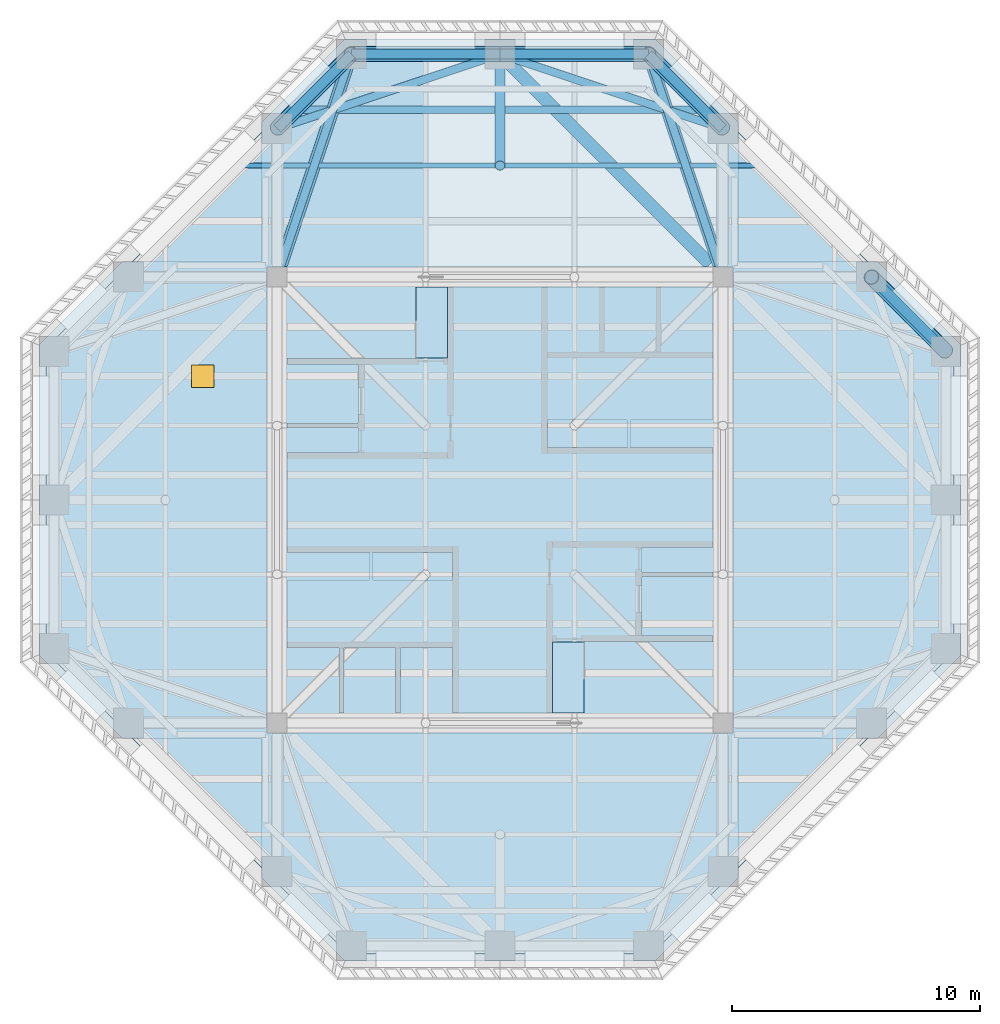
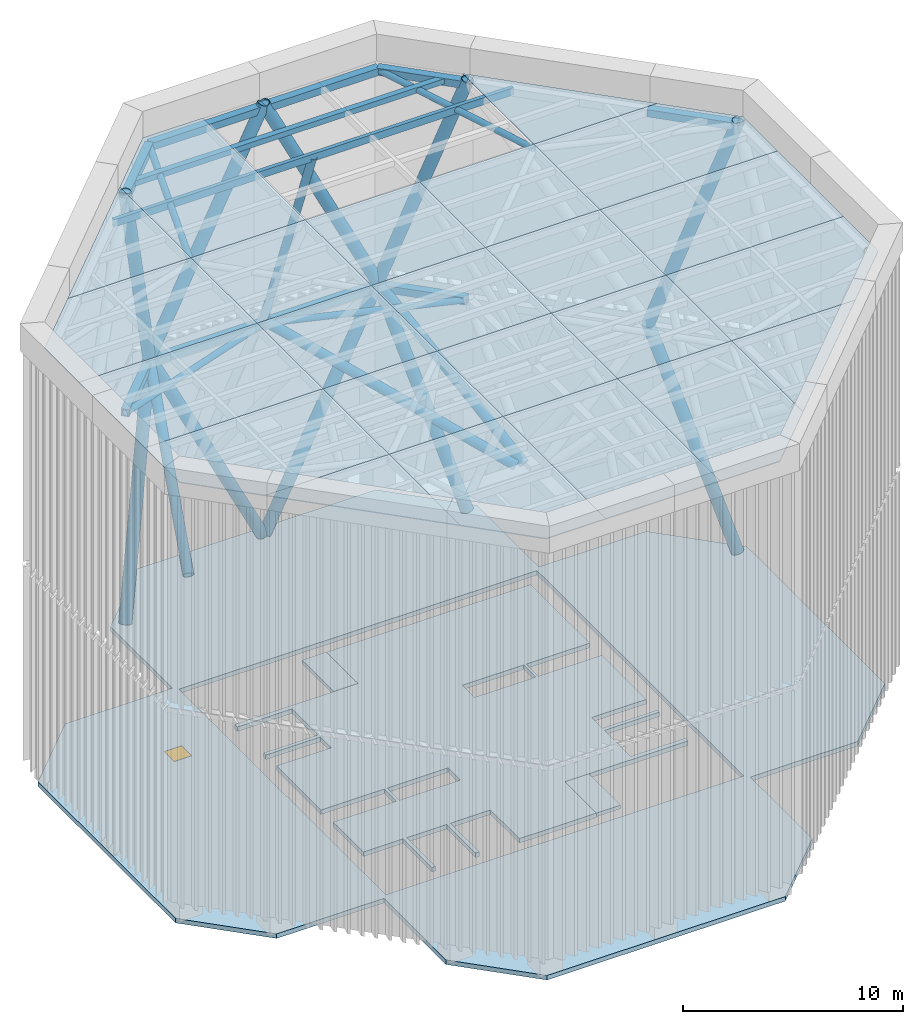
# One storey, part 3 of 8: 23 plates, 18 members, 11 beams, 4 slabs, 1 window, 1 opening.
"""IFC4 building model written with IfcOpenShell, lengths in metres."""

from ifc_helpers import new_model, si_unit, direction, frame, origin, origin_2d, place, context, subcontext, project, spatial, polyline, rectangle, hollow_rectangle, hollow_circle, outline, extrude, material, layer, layer_set, constituent, constituent_set, material_profile, profile_set, type_object, element, fill, save


model = new_model("IFC4")

# Units and contexts
model_context = context("Model", 3, precision=1e-05, world=origin(), true_north=direction((0.0, 1.0)))
body_context = subcontext(model_context, "Body", "Model", "MODEL_VIEW")
ifc_project = project(units=[si_unit("LENGTHUNIT", "METRE"), si_unit("AREAUNIT", "SQUARE_METRE"), si_unit("VOLUMEUNIT", "CUBIC_METRE"), si_unit("PLANEANGLEUNIT", "RADIAN"), si_unit("MASSUNIT", "GRAM", prefix="KILO")], contexts=[model_context])

# Site, building, storey
site_placement = place(None, origin())
site = spatial("IfcSite", under=ifc_project, at=site_placement, CompositionType="ELEMENT")
building_placement = place(site_placement, origin())
building = spatial("IfcBuilding", under=site, at=building_placement, Name="Torre Cruceta", CompositionType="ELEMENT")
storey_placement = place(building_placement, frame((0.0, 0.0, 293.300048828125)))
storey = spatial("IfcBuildingStorey", under=building, at=storey_placement, Name="RF", CompositionType="ELEMENT", Elevation=293.300048828125)

# Members
ifc_material_1 = material(Name="Steel S355J2H", Category="steel")
ifc_material_profile_1 = material_profile(ifc_material_1, hollow_circle(Radius=0.304931640625, WallThickness=0.02490234375, at=origin_2d()), Name="CHS610X25")
ifc_profile_set_1 = profile_set([ifc_material_profile_1], Name="Steel S355J2H")
member_type_1 = type_object("IfcMemberType", Name="CROWN FRAME BRACE CHS610X25", PredefinedType="BRACE", material=ifc_profile_set_1)
for number, where, z_axis, x_axis, name in (
    (1, (17.973388671875, 6.026611328125, 0.106689453125), (-0.235706561174, 0.235706561174, 0.942806891171), (-0.707106781187, -0.707106781187, 0.0), "Crown frame brace CD2 1-11"),
    (2, (8.973388671875, 15.026611328125, 0.106689453125), (-0.235706561174, 0.235706561174, 0.942806891171), (-0.707106781187, -0.707106781187, 0.0), "Crown frame brace CD2 1-13"),
):
    element("IfcMember", number, at=place(storey_placement, frame(where, z_axis=z_axis, x_axis=x_axis)), inside=storey, type_object=member_type_1, Name=name, PredefinedType="BRACE", context=body_context, shape_type="SweptSolid", body=[
        extrude(hollow_circle(Radius=0.304931640625, WallThickness=0.02490234375, at=origin_2d()), origin(), (0.0, 0.0, 1.0), 12.61474609375),
    ])
for number, where, z_axis, x_axis, name in (
    (3, (0.07080078125, 18.0, 0.141357421875), (0.447206229822, 0.0, 0.894430873801), (0.0, 1.0, 0.0), "Crown frame brace CD2 1-14"),
    (4, (-0.07080078125, 18.0, 0.141357421875), (-0.447206229822, 0.0, 0.894430873801), (0.0, -1.0, 0.0), "Crown frame brace CD2 1-15"),
):
    element("IfcMember", number, at=place(storey_placement, frame(where, z_axis=z_axis, x_axis=x_axis)), inside=storey, type_object=member_type_1, Name=name, PredefinedType="BRACE", context=body_context, shape_type="SweptSolid", body=[
        extrude(hollow_circle(Radius=0.304931640625, WallThickness=0.02490234375, at=origin_2d()), origin(), (0.0, 0.0, 1.0), 13.25830078125),
    ])
member_1_placement = place(storey_placement, frame((-8.973388671875, 15.026611328125, 0.106689453125), z_axis=(0.235706561174, 0.235706561174, 0.942806891171), x_axis=(-0.707106781187, 0.707106781187, 0.0)))
element("IfcMember", 5, at=member_1_placement, inside=storey, type_object=member_type_1, Name="Crown frame brace CD2 1-16", PredefinedType="BRACE", context=body_context, shape_type="SweptSolid", body=[
    extrude(hollow_circle(Radius=0.304931640625, WallThickness=0.02490234375, at=origin_2d()), origin(), (0.0, 0.0, 1.0), 12.61474609375),
])
ifc_material_2 = material(Name="Steel S355J2H", Category="steel")
ifc_material_profile_2 = material_profile(ifc_material_2, hollow_circle(Radius=0.304931640625, WallThickness=0.030029296875, at=origin_2d()), Name="CHS610X30")
ifc_profile_set_2 = profile_set([ifc_material_profile_2], Name="Steel S355J2H")
member_type_2 = type_object("IfcMemberType", Name="CROWN FRAME BRACE CHS610X30", PredefinedType="BRACE", material=ifc_profile_set_2)
for number, where, z_axis, x_axis, name in (
    (6, (15.0, 9.0, 12.0), (0.235702260396, -0.235702260396, 0.942809041582), (0.707106781187, 0.707106781187, 0.0), "Crown frame brace CD1 2-11"),
    (7, (6.0, 18.0, 12.0), (0.235702260396, -0.235702260396, 0.942809041582), (0.707106781187, 0.707106781187, 0.0), "Crown frame brace CD1 2-13"),
):
    element("IfcMember", number, at=place(storey_placement, frame(where, z_axis=z_axis, x_axis=x_axis)), inside=storey, type_object=member_type_2, Name=name, PredefinedType="BRACE", context=body_context, shape_type="SweptSolid", body=[
        extrude(hollow_circle(Radius=0.304931640625, WallThickness=0.030029296875, at=origin_2d()), origin(), (0.0, 0.0, 1.0), 12.72802734375),
    ])
for number, where, z_axis, x_axis, name in (
    (8, (6.0, 18.0, 12.0), (-0.4472135955, 0.0, 0.894427191), (0.0, -1.0, 0.0), "Crown frame brace CD1 2-14"),
    (9, (-6.0, 18.0, 12.0), (0.4472135955, 0.0, 0.894427191), (0.0, 1.0, 0.0), "Crown frame brace CD1 2-15"),
):
    element("IfcMember", number, at=place(storey_placement, frame(where, z_axis=z_axis, x_axis=x_axis)), inside=storey, type_object=member_type_2, Name=name, PredefinedType="BRACE", context=body_context, shape_type="SweptSolid", body=[
        extrude(hollow_circle(Radius=0.304931640625, WallThickness=0.030029296875, at=origin_2d()), origin(), (0.0, 0.0, 1.0), 13.41650390625),
    ])
member_2_placement = place(storey_placement, frame((-6.0, 18.0, 12.0), z_axis=(-0.235702260396, -0.235702260396, 0.942809041582), x_axis=(0.707106781187, -0.707106781187, 0.0)))
element("IfcMember", 10, at=member_2_placement, inside=storey, type_object=member_type_2, Name="Crown frame brace CD1 2-16", PredefinedType="BRACE", context=body_context, shape_type="SweptSolid", body=[
    extrude(hollow_circle(Radius=0.304931640625, WallThickness=0.030029296875, at=origin_2d()), origin(), (0.0, 0.0, 1.0), 12.72802734375),
])

# Beam
ifc_material_3 = material(Name="Steel S355J2H", Category="steel")
ifc_material_profile_3 = material_profile(ifc_material_3, hollow_rectangle(XDim=0.199951171875, YDim=0.39990234375, WallThickness=0.012451171875, at=origin_2d()), Name="RHS400X200X12.5")
ifc_profile_set_3 = profile_set([ifc_material_profile_3], Name="Steel S355J2H")
beam_type_1 = type_object("IfcBeamType", Name="CROWN FRAME CAP BEAM RHS400X200X12.5", PredefinedType="BEAM", material=ifc_profile_set_3)
beam_1_placement = place(storey_placement, frame((-10.5, 13.5, 23.800048828125), z_axis=(1.0, 0.0, 0.0), x_axis=(0.0, 1.0, 0.0)))
element("IfcBeam", 11, at=beam_1_placement, inside=storey, type_object=beam_type_1, Name="Crown frame cap beam CK1 G10", PredefinedType="BEAM", context=body_context, shape_type="SweptSolid", body=[
    extrude(hollow_rectangle(XDim=0.199951171875, YDim=0.39990234375, WallThickness=0.012451171875, at=origin_2d()), origin(), (0.0, 0.0, 1.0), 21.0),
])

# Members
ifc_material_4 = material(Name="Steel S355J2H", Category="steel")
ifc_material_profile_4 = material_profile(ifc_material_4, hollow_circle(Radius=0.203125, WallThickness=0.012451171875, at=origin_2d()), Name="CHS406.4X12.5")
ifc_profile_set_4 = profile_set([ifc_material_profile_4], Name="Steel S355J2H")
member_type_3 = type_object("IfcMemberType", Name="CROWN FRAME CAP STRUT CHS406.4X12.5", PredefinedType="BRACE", material=ifc_profile_set_4)
member_3_placement = place(storey_placement, frame((0.0, 18.0, 12.0), z_axis=(0.0, -0.356323295084, 0.934362729019), x_axis=(1.0, 0.0, 0.0)))
element("IfcMember", 12, at=member_3_placement, inside=storey, type_object=member_type_3, Name="Crown frame cap strut CD3 13", PredefinedType="BRACE", context=body_context, shape_type="SweptSolid", body=[
    extrude(hollow_circle(Radius=0.203125, WallThickness=0.012451171875, at=origin_2d()), origin(), (0.0, 0.0, 1.0), 12.62890625),
])
ifc_material_5 = material(Name="Steel S355J2H", Category="steel")
ifc_material_profile_5 = material_profile(ifc_material_5, hollow_circle(Radius=0.161865234375, WallThickness=0.010009765625, at=origin_2d()), Name="CHS323.9X10")
ifc_profile_set_5 = profile_set([ifc_material_profile_5], Name="Steel S355J2H")
member_type_4 = type_object("IfcMemberType", Name="CROWN FRAME PLAN BRACE CHS323.9X10", PredefinedType="BRACE", material=ifc_profile_set_5)
for number, where, z_axis, x_axis, name in (
    (13, (9.0, 15.0, 11.800048828125), (-0.948683298051, 0.316227766017, 0.0), (-0.316227766017, -0.948683298051, 0.0), "Crown frame plan brace CX1 1-13"),
    (14, (0.0, 18.0, 11.800048828125), (-0.948683298051, -0.316227766017, 0.0), (0.316227766017, -0.948683298051, 0.0), "Crown frame plan brace CX1 1-15"),
    (15, (-9.0, 9.0, 23.800048828125), (0.316227766017, 0.948683298051, 0.0), (-0.948683298051, 0.316227766017, 0.0), "Crown frame plan brace CX1 2-05"),
    (16, (9.0, 9.0, 23.800048828125), (-0.316227766017, 0.948683298051, 0.0), (-0.948683298051, -0.316227766017, 0.0), "Crown frame plan brace CX1 2-06"),
):
    element("IfcMember", number, at=place(storey_placement, frame(where, z_axis=z_axis, x_axis=x_axis)), inside=storey, type_object=member_type_4, Name=name, PredefinedType="BRACE", context=body_context, shape_type="SweptSolid", body=[
        extrude(hollow_circle(Radius=0.161865234375, WallThickness=0.010009765625, at=origin_2d()), origin(), (0.0, 0.0, 1.0), 9.48681640625),
    ])

# Beams
ifc_material_6 = material(Name="Steel S355J2H", Category="steel")
ifc_material_profile_6 = material_profile(ifc_material_6, hollow_rectangle(XDim=0.39990234375, YDim=0.39990234375, WallThickness=0.02001953125, at=origin_2d()), Name="SHS400X400X20")
ifc_profile_set_6 = profile_set([ifc_material_profile_6], Name="Steel S355J2H")
beam_type_2 = type_object("IfcBeamType", Name="CROWN FRAME RING BEAM SHS400X400X20", PredefinedType="BEAM", material=ifc_profile_set_6)
beam_2_placement = place(storey_placement, frame((9.0, 15.0, 11.800048828125), z_axis=(-0.707106781187, 0.707106781187, 0.0), x_axis=(-0.707106781187, -0.707106781187, 0.0)))
element("IfcBeam", 17, at=beam_2_placement, inside=storey, type_object=beam_type_2, Name="Crown frame ring beam CR1 1-13", PredefinedType="BEAM", context=body_context, shape_type="SweptSolid", body=[
    extrude(hollow_rectangle(XDim=0.39990234375, YDim=0.39990234375, WallThickness=0.02001953125, at=origin_2d()), origin(), (0.0, 0.0, 1.0), 4.24267578125),
])
for number, where, z_axis, x_axis, name in (
    (18, (6.0, 18.0, 11.800048828125), (-1.0, 0.0, 0.0), (0.0, -1.0, 0.0), "Crown frame ring beam CR1 1-14"),
    (19, (0.0, 18.0, 11.800048828125), (-1.0, 0.0, 0.0), (0.0, -1.0, 0.0), "Crown frame ring beam CR1 1-15"),
):
    element("IfcBeam", number, at=place(storey_placement, frame(where, z_axis=z_axis, x_axis=x_axis)), inside=storey, type_object=beam_type_2, Name=name, PredefinedType="BEAM", context=body_context, shape_type="SweptSolid", body=[
        extrude(hollow_rectangle(XDim=0.39990234375, YDim=0.39990234375, WallThickness=0.02001953125, at=origin_2d()), origin(), (0.0, 0.0, 1.0), 6.0),
    ])
for number, where, z_axis, x_axis, name in (
    (20, (-6.0, 18.0, 11.800048828125), (-0.707106781187, -0.707106781187, 0.0), (0.707106781187, -0.707106781187, 0.0), "Crown frame ring beam CR1 1-16"),
    (21, (18.0, 6.0, 23.800048828125), (-0.707106781187, 0.707106781187, 0.0), (-0.707106781187, -0.707106781187, 0.0), "Crown frame ring beam CR1 2-11"),
    (22, (9.0, 15.0, 23.800048828125), (-0.707106781187, 0.707106781187, 0.0), (-0.707106781187, -0.707106781187, 0.0), "Crown frame ring beam CR1 2-13"),
):
    element("IfcBeam", number, at=place(storey_placement, frame(where, z_axis=z_axis, x_axis=x_axis)), inside=storey, type_object=beam_type_2, Name=name, PredefinedType="BEAM", context=body_context, shape_type="SweptSolid", body=[
        extrude(hollow_rectangle(XDim=0.39990234375, YDim=0.39990234375, WallThickness=0.02001953125, at=origin_2d()), origin(), (0.0, 0.0, 1.0), 4.24267578125),
    ])
for number, where, z_axis, x_axis, name in (
    (23, (6.0, 18.0, 23.800048828125), (-1.0, 0.0, 0.0), (0.0, -1.0, 0.0), "Crown frame ring beam CR1 2-14"),
    (24, (0.0, 18.0, 23.800048828125), (-1.0, 0.0, 0.0), (0.0, -1.0, 0.0), "Crown frame ring beam CR1 2-15"),
):
    element("IfcBeam", number, at=place(storey_placement, frame(where, z_axis=z_axis, x_axis=x_axis)), inside=storey, type_object=beam_type_2, Name=name, PredefinedType="BEAM", context=body_context, shape_type="SweptSolid", body=[
        extrude(hollow_rectangle(XDim=0.39990234375, YDim=0.39990234375, WallThickness=0.02001953125, at=origin_2d()), origin(), (0.0, 0.0, 1.0), 6.0),
    ])
beam_3_placement = place(storey_placement, frame((-6.0, 18.0, 23.800048828125), z_axis=(-0.707106781187, -0.707106781187, 0.0), x_axis=(0.707106781187, -0.707106781187, 0.0)))
element("IfcBeam", 25, at=beam_3_placement, inside=storey, type_object=beam_type_2, Name="Crown frame ring beam CR1 2-16", PredefinedType="BEAM", context=body_context, shape_type="SweptSolid", body=[
    extrude(hollow_rectangle(XDim=0.39990234375, YDim=0.39990234375, WallThickness=0.02001953125, at=origin_2d()), origin(), (0.0, 0.0, 1.0), 4.24267578125),
])
ifc_material_7 = material(Name="Steel S355J2H", Category="steel")
ifc_material_profile_7 = material_profile(ifc_material_7, hollow_rectangle(XDim=0.300048828125, YDim=0.300048828125, WallThickness=0.012451171875, at=origin_2d()), Name="SHS300X300X12.5")
ifc_profile_set_7 = profile_set([ifc_material_profile_7], Name="Steel S355J2H")
beam_type_3 = type_object("IfcBeamType", Name="CROWN FRAME SECONDARY BEAM SHS300X300X12.5", PredefinedType="JOIST", material=ifc_profile_set_7)
beam_4_placement = place(storey_placement, frame((-8.25, 15.75, 23.849853515625), z_axis=(1.0, 0.0, 0.0), x_axis=(0.0, 1.0, 0.0)))
element("IfcBeam", 26, at=beam_4_placement, inside=storey, type_object=beam_type_3, Name="Crown frame secondary beam CK2 10", PredefinedType="JOIST", context=body_context, shape_type="SweptSolid", body=[
    extrude(hollow_rectangle(XDim=0.300048828125, YDim=0.300048828125, WallThickness=0.012451171875, at=origin_2d()), origin(), (0.0, 0.0, 1.0), 16.5),
])

# Members
ifc_material_8 = material(Name="Steel S355J2H", Category="steel")
ifc_material_profile_8 = material_profile(ifc_material_8, hollow_circle(Radius=0.25390625, WallThickness=0.01611328125, at=origin_2d()), Name="CHS508X16")
ifc_profile_set_8 = profile_set([ifc_material_profile_8], Name="Steel S355J2H")
member_type_5 = type_object("IfcMemberType", Name="CROWN FRAME TIE CHS508X16", PredefinedType="STRUT", material=ifc_profile_set_8)
member_4_placement = place(storey_placement, frame((8.814453125, 9.556640625, 6.042724609375), z_axis=(-0.26279142284, 0.78837426852, 0.55624336474), x_axis=(-0.948683298051, -0.316227766017, 0.0)))
element("IfcMember", 27, at=member_4_placement, inside=storey, type_object=member_type_5, Name="Crown frame tie CT1 14", PredefinedType="STRUT", context=body_context, shape_type="SweptSolid", body=[
    extrude(hollow_circle(Radius=0.25390625, WallThickness=0.01611328125, at=origin_2d()), origin(), (0.0, 0.0, 1.0), 10.709716796875),
])
member_5_placement = place(storey_placement, frame((8.403076171875, 9.596923828125, 6.071044921875), z_axis=(-0.632730391872, 0.632730391872, 0.446435328354), x_axis=(-0.707106781187, -0.707106781187, 0.0)))
element("IfcMember", 28, at=member_5_placement, inside=storey, type_object=member_type_5, Name="Crown frame tie CT1 15", PredefinedType="STRUT", context=body_context, shape_type="SweptSolid", body=[
    extrude(hollow_circle(Radius=0.25390625, WallThickness=0.01611328125, at=origin_2d()), origin(), (0.0, 0.0, 1.0), 13.28076171875),
])
member_6_placement = place(storey_placement, frame((-8.814453125, 9.556640625, 6.042724609375), z_axis=(0.26279142284, 0.78837426852, 0.55624336474), x_axis=(-0.948683298051, 0.316227766017, 0.0)))
element("IfcMember", 29, at=member_6_placement, inside=storey, type_object=member_type_5, Name="Crown frame tie CT1 16", PredefinedType="STRUT", context=body_context, shape_type="SweptSolid", body=[
    extrude(hollow_circle(Radius=0.25390625, WallThickness=0.01611328125, at=origin_2d()), origin(), (0.0, 0.0, 1.0), 10.709716796875),
])

# Plates
ifc_material_9 = material(Name="Steel S275", Category="steel")
ifc_layer_1 = layer(ifc_material_9, 0.050048828125)
ifc_layer_set_1 = layer_set([ifc_layer_1], Name="Steel S275")
plate_type = type_object("IfcPlateType", Name="CROWN FRAME CAP GRATING 50", PredefinedType="SHEET", material=ifc_layer_set_1)
plate_1_placement = place(storey_placement, frame((0.0, 0.0, 24.0)))
element("IfcPlate", 30, at=plate_1_placement, inside=storey, type_object=plate_type, Name="Crown frame cap grating CG1 01", PredefinedType="SHEET", context=body_context, shape_type="SweptSolid", body=[
    extrude(outline(polyline([(-9.0, -15.48095703125), (-9.0, -9.0), (-15.48095703125, -9.0), (-9.0, -15.48095703125)])), origin(), (0.0, 0.0, 1.0), 0.050048828125),
])
plate_2_placement = place(storey_placement, frame((0.0, 0.0, 24.0)))
element("IfcPlate", 31, at=plate_2_placement, inside=storey, type_object=plate_type, Name="Crown frame cap grating CG1 02", PredefinedType="SHEET", context=body_context, shape_type="SweptSolid", body=[
    extrude(outline(polyline([(-15.48095703125, -9.0), (-9.0, -9.0), (-9.0, -3.0), (-18.340087890625, -3.0), (-18.340087890625, -6.14111328125), (-15.48095703125, -9.0)])), origin(), (0.0, 0.0, 1.0), 0.050048828125),
])
plate_3_placement = place(storey_placement, frame((0.0, 0.0, 24.0)))
element("IfcPlate", 32, at=plate_3_placement, inside=storey, type_object=plate_type, Name="Crown frame cap grating CG1 03", PredefinedType="SHEET", context=body_context, shape_type="SweptSolid", body=[
    extrude(outline(polyline([(-18.340087890625, -3.0), (-9.0, -3.0), (-9.0, 3.0), (-18.340087890625, 3.0), (-18.340087890625, -3.0)])), origin(), (0.0, 0.0, 1.0), 0.050048828125),
])
plate_4_placement = place(storey_placement, frame((0.0, 0.0, 24.0)))
element("IfcPlate", 33, at=plate_4_placement, inside=storey, type_object=plate_type, Name="Crown frame cap grating CG1 04", PredefinedType="SHEET", context=body_context, shape_type="SweptSolid", body=[
    extrude(outline(polyline([(-18.340087890625, 3.0), (-9.0, 3.0), (-9.0, 9.0), (-15.48095703125, 9.0), (-18.340087890625, 6.14111328125), (-18.340087890625, 3.0)])), origin(), (0.0, 0.0, 1.0), 0.050048828125),
])
plate_5_placement = place(storey_placement, frame((0.0, 0.0, 24.0)))
element("IfcPlate", 34, at=plate_5_placement, inside=storey, type_object=plate_type, Name="Crown frame cap grating CG1 05", PredefinedType="SHEET", context=body_context, shape_type="SweptSolid", body=[
    extrude(outline(polyline([(-15.48095703125, 9.0), (-9.0, 9.0), (-9.0, 15.48095703125), (-15.48095703125, 9.0)])), origin(), (0.0, 0.0, 1.0), 0.050048828125),
])
plate_6_placement = place(storey_placement, frame((0.0, 0.0, 24.0)))
element("IfcPlate", 35, at=plate_6_placement, inside=storey, type_object=plate_type, Name="Crown frame cap grating CG1 06", PredefinedType="SHEET", context=body_context, shape_type="SweptSolid", body=[
    extrude(outline(polyline([(-3.0, -18.340087890625), (-3.0, -9.0), (-9.0, -9.0), (-9.0, -15.48095703125), (-6.14111328125, -18.340087890625), (-3.0, -18.340087890625)])), origin(), (0.0, 0.0, 1.0), 0.050048828125),
])
plate_7_placement = place(storey_placement, frame((0.0, 0.0, 24.0)))
element("IfcPlate", 36, at=plate_7_placement, inside=storey, type_object=plate_type, Name="Crown frame cap grating CG1 07", PredefinedType="SHEET", context=body_context, shape_type="SweptSolid", body=[
    extrude(outline(polyline([(-3.0, -9.0), (-3.0, -3.0), (-9.0, -3.0), (-9.0, -9.0), (-3.0, -9.0)])), origin(), (0.0, 0.0, 1.0), 0.050048828125),
])
plate_8_placement = place(storey_placement, frame((0.0, 0.0, 24.0)))
element("IfcPlate", 37, at=plate_8_placement, inside=storey, type_object=plate_type, Name="Crown frame cap grating CG1 08", PredefinedType="SHEET", context=body_context, shape_type="SweptSolid", body=[
    extrude(outline(polyline([(-3.0, -3.0), (-3.0, 3.0), (-9.0, 3.0), (-9.0, -3.0), (-3.0, -3.0)])), origin(), (0.0, 0.0, 1.0), 0.050048828125),
])
plate_9_placement = place(storey_placement, frame((0.0, 0.0, 24.0)))
element("IfcPlate", 38, at=plate_9_placement, inside=storey, type_object=plate_type, Name="Crown frame cap grating CG1 09", PredefinedType="SHEET", context=body_context, shape_type="SweptSolid", body=[
    extrude(outline(polyline([(-3.0, 3.0), (-3.0, 9.0), (-9.0, 9.0), (-9.0, 3.0), (-3.0, 3.0)])), origin(), (0.0, 0.0, 1.0), 0.050048828125),
])
plate_10_placement = place(storey_placement, frame((0.0, 0.0, 24.0)))
element("IfcPlate", 39, at=plate_10_placement, inside=storey, type_object=plate_type, Name="Crown frame cap grating CG1 10", PredefinedType="SHEET", context=body_context, shape_type="SweptSolid", body=[
    extrude(outline(polyline([(-9.0, 15.48095703125), (-9.0, 9.0), (-3.0, 9.0), (-3.0, 18.340087890625), (-6.14111328125, 18.340087890625), (-9.0, 15.48095703125)])), origin(), (0.0, 0.0, 1.0), 0.050048828125),
])
plate_11_placement = place(storey_placement, frame((0.0, 0.0, 24.0)))
element("IfcPlate", 40, at=plate_11_placement, inside=storey, type_object=plate_type, Name="Crown frame cap grating CG1 11", PredefinedType="SHEET", context=body_context, shape_type="SweptSolid", body=[
    extrude(outline(polyline([(3.0, -18.340087890625), (3.0, -9.0), (-3.0, -9.0), (-3.0, -18.340087890625), (3.0, -18.340087890625)])), origin(), (0.0, 0.0, 1.0), 0.050048828125),
])
plate_12_placement = place(storey_placement, frame((0.0, 0.0, 24.0)))
element("IfcPlate", 41, at=plate_12_placement, inside=storey, type_object=plate_type, Name="Crown frame cap grating CG1 12", PredefinedType="SHEET", context=body_context, shape_type="SweptSolid", body=[
    extrude(outline(polyline([(3.0, -9.0), (3.0, -3.0), (-3.0, -3.0), (-3.0, -9.0), (3.0, -9.0)])), origin(), (0.0, 0.0, 1.0), 0.050048828125),
])
plate_13_placement = place(storey_placement, frame((0.0, 0.0, 24.0)))
element("IfcPlate", 42, at=plate_13_placement, inside=storey, type_object=plate_type, Name="Crown frame cap grating CG1 13", PredefinedType="SHEET", context=body_context, shape_type="SweptSolid", body=[
    extrude(outline(polyline([(3.0, -3.0), (3.0, 3.0), (-3.0, 3.0), (-3.0, -3.0), (3.0, -3.0)])), origin(), (0.0, 0.0, 1.0), 0.050048828125),
])
plate_14_placement = place(storey_placement, frame((0.0, 0.0, 24.0)))
element("IfcPlate", 43, at=plate_14_placement, inside=storey, type_object=plate_type, Name="Crown frame cap grating CG1 14", PredefinedType="SHEET", context=body_context, shape_type="SweptSolid", body=[
    extrude(outline(polyline([(3.0, 3.0), (3.0, 9.0), (-3.0, 9.0), (-3.0, 3.0), (3.0, 3.0)])), origin(), (0.0, 0.0, 1.0), 0.050048828125),
])
plate_15_placement = place(storey_placement, frame((0.0, 0.0, 24.0)))
element("IfcPlate", 44, at=plate_15_placement, inside=storey, type_object=plate_type, Name="Crown frame cap grating CG1 16", PredefinedType="SHEET", context=body_context, shape_type="SweptSolid", body=[
    extrude(outline(polyline([(9.0, -15.48095703125), (9.0, -9.0), (3.0, -9.0), (3.0, -18.340087890625), (6.14111328125, -18.340087890625), (9.0, -15.48095703125)])), origin(), (0.0, 0.0, 1.0), 0.050048828125),
])
plate_16_placement = place(storey_placement, frame((0.0, 0.0, 24.0)))
element("IfcPlate", 45, at=plate_16_placement, inside=storey, type_object=plate_type, Name="Crown frame cap grating CG1 17", PredefinedType="SHEET", context=body_context, shape_type="SweptSolid", body=[
    extrude(outline(polyline([(9.0, -9.0), (9.0, -3.0), (3.0, -3.0), (3.0, -9.0), (9.0, -9.0)])), origin(), (0.0, 0.0, 1.0), 0.050048828125),
])
plate_17_placement = place(storey_placement, frame((0.0, 0.0, 24.0)))
element("IfcPlate", 46, at=plate_17_placement, inside=storey, type_object=plate_type, Name="Crown frame cap grating CG1 18", PredefinedType="SHEET", context=body_context, shape_type="SweptSolid", body=[
    extrude(outline(polyline([(9.0, -3.0), (9.0, 3.0), (3.0, 3.0), (3.0, -3.0), (9.0, -3.0)])), origin(), (0.0, 0.0, 1.0), 0.050048828125),
])
plate_18_placement = place(storey_placement, frame((0.0, 0.0, 24.0)))
element("IfcPlate", 47, at=plate_18_placement, inside=storey, type_object=plate_type, Name="Crown frame cap grating CG1 19", PredefinedType="SHEET", context=body_context, shape_type="SweptSolid", body=[
    extrude(outline(polyline([(9.0, 3.0), (9.0, 9.0), (3.0, 9.0), (3.0, 3.0), (9.0, 3.0)])), origin(), (0.0, 0.0, 1.0), 0.050048828125),
])
plate_19_placement = place(storey_placement, frame((0.0, 0.0, 24.0)))
element("IfcPlate", 48, at=plate_19_placement, inside=storey, type_object=plate_type, Name="Crown frame cap grating CG1 21", PredefinedType="SHEET", context=body_context, shape_type="SweptSolid", body=[
    extrude(outline(polyline([(15.48095703125, -9.0), (9.0, -9.0), (9.0, -15.48095703125), (15.48095703125, -9.0)])), origin(), (0.0, 0.0, 1.0), 0.050048828125),
])
plate_20_placement = place(storey_placement, frame((0.0, 0.0, 24.0)))
element("IfcPlate", 49, at=plate_20_placement, inside=storey, type_object=plate_type, Name="Crown frame cap grating CG1 22", PredefinedType="SHEET", context=body_context, shape_type="SweptSolid", body=[
    extrude(outline(polyline([(18.340087890625, -3.0), (9.0, -3.0), (9.0, -9.0), (15.48095703125, -9.0), (18.340087890625, -6.14111328125), (18.340087890625, -3.0)])), origin(), (0.0, 0.0, 1.0), 0.050048828125),
])
plate_21_placement = place(storey_placement, frame((0.0, 0.0, 24.0)))
element("IfcPlate", 50, at=plate_21_placement, inside=storey, type_object=plate_type, Name="Crown frame cap grating CG1 23", PredefinedType="SHEET", context=body_context, shape_type="SweptSolid", body=[
    extrude(outline(polyline([(18.340087890625, 3.0), (9.0, 3.0), (9.0, -3.0), (18.340087890625, -3.0), (18.340087890625, 3.0)])), origin(), (0.0, 0.0, 1.0), 0.050048828125),
])
plate_22_placement = place(storey_placement, frame((0.0, 0.0, 24.0)))
element("IfcPlate", 51, at=plate_22_placement, inside=storey, type_object=plate_type, Name="Crown frame cap grating CG1 24", PredefinedType="SHEET", context=body_context, shape_type="SweptSolid", body=[
    extrude(outline(polyline([(15.48095703125, 9.0), (9.0, 9.0), (9.0, 3.0), (18.340087890625, 3.0), (18.340087890625, 6.14111328125), (15.48095703125, 9.0)])), origin(), (0.0, 0.0, 1.0), 0.050048828125),
])
plate_23_placement = place(storey_placement, frame((0.0, 0.0, 24.0)))
element("IfcPlate", 52, at=plate_23_placement, inside=storey, type_object=plate_type, Name="Crown frame cap grating CG1 25", PredefinedType="SHEET", context=body_context, shape_type="SweptSolid", body=[
    extrude(outline(polyline([(9.0, 15.48095703125), (9.0, 9.0), (15.48095703125, 9.0), (9.0, 15.48095703125)])), origin(), (0.0, 0.0, 1.0), 0.050048828125),
])

# Slab
ifc_material_10 = material(Name="Concrete G35 (fck 35 MPa)", Category="concrete")
ifc_layer_2 = layer(ifc_material_10, 0.25)
ifc_layer_set_2 = layer_set([ifc_layer_2], Name="Concrete G35 (fck 35 MPa)")
slab_type_1 = type_object("IfcSlabType", Name="FLOOR SLAB 250", PredefinedType="FLOOR", material=ifc_layer_set_2)
slab_1_placement = place(storey_placement, frame((0.0, 0.0, -0.25)))
element("IfcSlab", 53, at=slab_1_placement, inside=storey, type_object=slab_type_1, Name="Head-house floor slab RF", PredefinedType="FLOOR", context=body_context, shape_type="SweptSolid", body=[
    extrude(outline(polyline([(-6.308349609375, -8.60009765625), (-6.308349609375, -5.97509765625), (-4.216796875, -5.97509765625), (-4.216796875, -8.60009765625), (-4.0166015625, -8.60009765625), (-4.0166015625, -5.97509765625), (-1.925048828125, -5.97509765625), (-1.925048828125, -8.60009765625), (2.125, -8.60009765625), (2.125, -5.72509765625), (8.60009765625, -5.72509765625), (8.60009765625, -5.47509765625), (5.72509765625, -5.47509765625), (5.72509765625, -3.10009765625), (8.60009765625, -3.10009765625), (8.60009765625, -2.89990234375), (5.72509765625, -2.89990234375), (5.72509765625, -1.925048828125), (8.60009765625, -1.925048828125), (8.60009765625, 2.125), (5.27490234375, 2.125), (5.27490234375, 3.22509765625), (8.60009765625, 3.22509765625), (8.60009765625, 8.60009765625), (-2.125, 8.60009765625), (-2.125, 5.72509765625), (-8.60009765625, 5.72509765625), (-8.60009765625, 5.47509765625), (-5.72509765625, 5.47509765625), (-5.72509765625, 3.10009765625), (-8.60009765625, 3.10009765625), (-8.60009765625, 2.89990234375), (-5.72509765625, 2.89990234375), (-5.72509765625, 1.925048828125), (-8.60009765625, 1.925048828125), (-8.60009765625, -2.125), (-5.27490234375, -2.125), (-5.27490234375, -3.22509765625), (-8.60009765625, -3.22509765625), (-8.60009765625, -5.97509765625), (-6.50830078125, -5.97509765625), (-6.50830078125, -8.60009765625), (-6.308349609375, -8.60009765625)]), holes=[polyline([(-1.925048828125, -3.22509765625), (-5.125, -3.22509765625), (-5.125, -2.125), (-1.925048828125, -2.125), (-1.925048828125, -3.22509765625)]), polyline([(1.925048828125, 2.125), (1.925048828125, 3.22509765625), (5.125, 3.22509765625), (5.125, 2.125), (1.925048828125, 2.125)])]), origin(), (0.0, 0.0, 1.0), 0.25),
])

# Slab, opening, window
ifc_material_11 = material(Name="Concrete G35 (fck 35 MPa)", Category="concrete")
ifc_layer_3 = layer(ifc_material_11, 0.25)
ifc_layer_set_3 = layer_set([ifc_layer_3], Name="Concrete G35 (fck 35 MPa)")
slab_type_2 = type_object("IfcSlabType", Name="ROOF SLAB 250", PredefinedType="ROOF", material=ifc_layer_set_3)
slab_2_placement = place(storey_placement, frame((0.0, 0.0, -0.25)))
slab_2 = element("IfcSlab", 54, at=slab_2_placement, inside=storey, type_object=slab_type_2, Name="Roof Slab RF", PredefinedType="ROOF", context=body_context, shape_type="SweptSolid", body=[
    extrude(outline(polyline([(9.6201171875, -9.6201171875), (9.6201171875, -15.2568359375), (6.2568359375, -18.6201171875), (-6.2568359375, -18.6201171875), (-9.6201171875, -15.2568359375), (-9.6201171875, -9.6201171875), (-15.2568359375, -9.6201171875), (-18.6201171875, -6.2568359375), (-18.6201171875, 6.2568359375), (-15.2568359375, 9.6201171875), (-9.6201171875, 9.6201171875), (-9.6201171875, 15.2568359375), (-6.2568359375, 18.6201171875), (6.2568359375, 18.6201171875), (9.6201171875, 15.2568359375), (9.6201171875, 9.6201171875), (15.2568359375, 9.6201171875), (18.6201171875, 6.2568359375), (18.6201171875, -6.2568359375), (15.2568359375, -9.6201171875), (9.6201171875, -9.6201171875)]), holes=[polyline([(9.39990234375, 9.39990234375), (9.39990234375, -9.39990234375), (-9.39990234375, -9.39990234375), (-9.39990234375, 9.39990234375), (9.39990234375, 9.39990234375)])]), origin(), (0.0, 0.0, 1.0), 0.25),
])
opening_placement = place(slab_2_placement, frame((-12.0, 5.0, 0.0)))
opening = element("IfcOpeningElement", 55, at=opening_placement, cuts=slab_2, Name="Opening RH1", PredefinedType="OPENING", context=body_context, shape_type="SweptSolid", body=[
    extrude(rectangle(XDim=0.89990234375, YDim=0.89990234375, at=origin_2d()), origin(), (0.0, 0.0, 1.0), 0.25),
])
ifc_material_12 = material(Name="Aluminium hatch frame", Category="aluminium")
ifc_constituent_1 = constituent(ifc_material_12, Name="Frame")
ifc_material_13 = material(Name="Laminated insulating glass unit, low-iron clear", Category="glass")
ifc_constituent_2 = constituent(ifc_material_13, Name="Glazing")
ifc_constituent_set = constituent_set(constituents=[ifc_constituent_1, ifc_constituent_2], Name="Aluminium hatch")
window_type = type_object("IfcWindowType", Name="ROOF ACCESS HATCH 900X900", PartitioningType="SINGLE_PANEL", PredefinedType="SKYLIGHT", material=ifc_constituent_set)
window_placement = place(opening_placement, frame((0.0, 0.0, 0.199951171875)))
window = element("IfcWindow", 56, at=window_placement, inside=storey, type_object=window_type, Name="ROOF ACCESS HATCH RH1", OverallHeight=0.89990234375, OverallWidth=0.89990234375, PartitioningType="SINGLE_PANEL", PredefinedType="SKYLIGHT", context=body_context, shape_type="SweptSolid", body=[
    extrude(hollow_rectangle(XDim=0.89990234375, YDim=0.89990234375, WallThickness=0.06005859375, at=origin_2d()), origin(), (0.0, 0.0, 1.0), 0.050048828125),
    extrude(rectangle(XDim=0.77880859375, YDim=0.77880859375, at=origin_2d()), origin(), (0.0, 0.0, 1.0), 0.050048828125),
])
fill(opening, window)

# Slabs
ifc_material_14 = material(Name="Concrete G30 (fck 30 MPa)", Category="concrete")
ifc_layer_4 = layer(ifc_material_14, 0.199951171875)
ifc_layer_set_4 = layer_set([ifc_layer_4], Name="Concrete G30 (fck 30 MPa)")
slab_type_3 = type_object("IfcSlabType", Name="STAIR LANDING 200", PredefinedType="LANDING", material=ifc_layer_set_4)
slab_3_placement = place(storey_placement, frame((0.0, 0.0, -0.199951171875)))
element("IfcSlab", 57, at=slab_3_placement, inside=storey, type_object=slab_type_3, Name="Stair ST1 floor landing RF", PredefinedType="LANDING", context=body_context, shape_type="SweptSolid", body=[
    extrude(outline(polyline([(-2.125, 8.60009765625), (-2.125, 5.72509765625), (-3.39990234375, 5.72509765625), (-3.39990234375, 8.60009765625), (-2.125, 8.60009765625)])), origin(), (0.0, 0.0, 1.0), 0.199951171875),
])
slab_4_placement = place(storey_placement, frame((0.0, 0.0, -0.199951171875)))
element("IfcSlab", 58, at=slab_4_placement, inside=storey, type_object=slab_type_3, Name="Stair ST2 floor landing RF", PredefinedType="LANDING", context=body_context, shape_type="SweptSolid", body=[
    extrude(outline(polyline([(2.125, -8.60009765625), (2.125, -5.72509765625), (3.39990234375, -5.72509765625), (3.39990234375, -8.60009765625), (2.125, -8.60009765625)])), origin(), (0.0, 0.0, 1.0), 0.199951171875),
])

save(model, "model.ifc")
